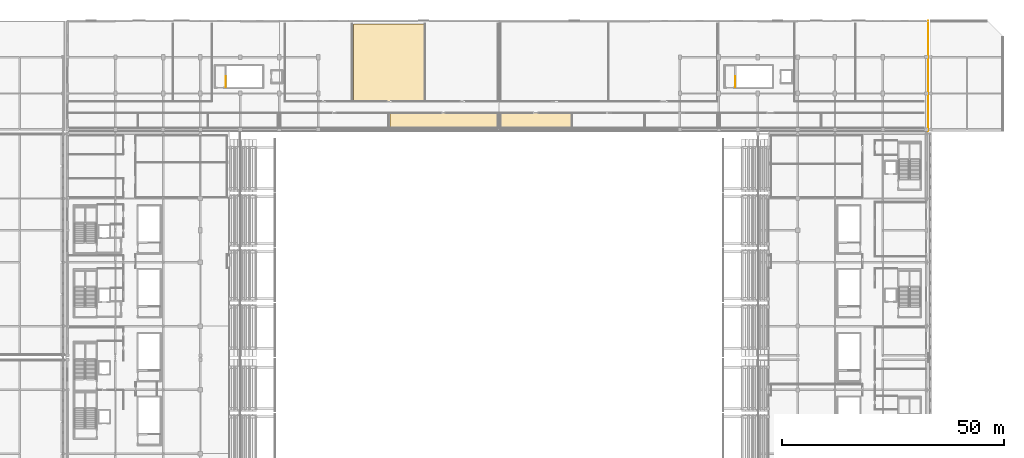
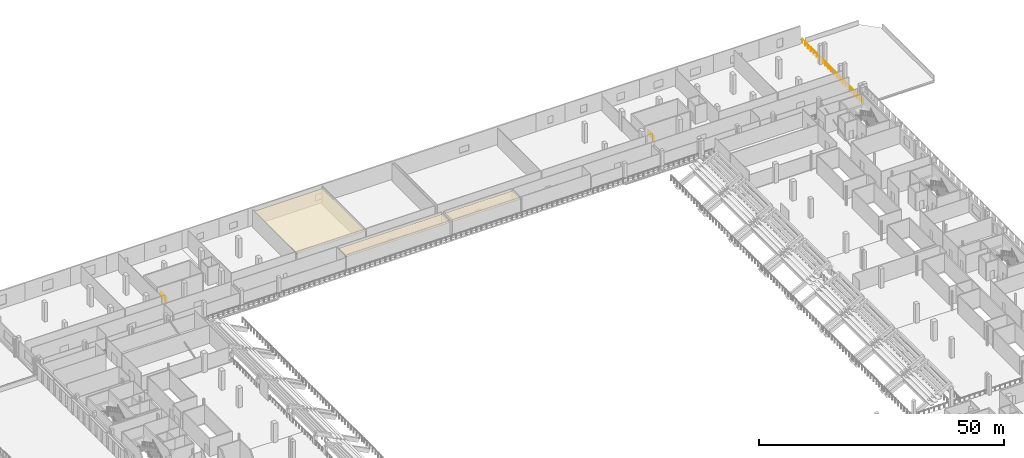
# One storey, part 73 of 74: 3 coverings, 3 railings.
"""IFC4 building model written with IfcOpenShell, lengths in metres."""

from ifc_helpers import new_model, si_unit, direction, frame, origin, origin_2d, place, context, subcontext, project, spatial, polyline, circle, outline, extrude, material, layer, layer_set, type_object, element, save


model = new_model("IFC4")

# Units and contexts
model_context = context("Model", 3, precision=1e-05, world=origin(), true_north=direction((0.0, 1.0)))
body_context = subcontext(model_context, "Body", "Model", "MODEL_VIEW")
ifc_project = project(units=[si_unit("LENGTHUNIT", "METRE"), si_unit("AREAUNIT", "SQUARE_METRE"), si_unit("VOLUMEUNIT", "CUBIC_METRE"), si_unit("PLANEANGLEUNIT", "RADIAN"), si_unit("MASSUNIT", "GRAM", prefix="KILO")], contexts=[model_context])

# Site, building, storey
site_placement = place(None, origin())
site = spatial("IfcSite", under=ifc_project, at=site_placement, CompositionType="ELEMENT")
building_placement = place(site_placement, origin())
building = spatial("IfcBuilding", under=site, at=building_placement, Name="Koshinbarg Plaza Stadium", CompositionType="ELEMENT")
storey_placement = place(building_placement, frame((0.0, 0.0, 15.0)))
storey = spatial("IfcBuildingStorey", under=building, at=storey_placement, Name="L03", CompositionType="ELEMENT", Elevation=15.0)

# Coverings
ifc_material_1 = material(Name="Perforated gypsum acoustic ceiling board")
ifc_layer = layer(ifc_material_1, 0.030029296875)
ifc_layer_set = layer_set([ifc_layer], Name="Perforated gypsum acoustic ceiling board")
covering_type = type_object("IfcCoveringType", Name="COV-CEIL-01", PredefinedType="CEILING", material=ifc_layer_set)
covering_1_placement = place(storey_placement, frame((0.0, 0.0, 3.889892578125)))
element("IfcCovering", 1, at=covering_1_placement, inside=storey, type_object=covering_type, Name="L03 Trophy Exhibition Hall acoustic ceiling 030", PredefinedType="CEILING", context=body_context, shape_type="SweptSolid", body=[
    extrude(outline(polyline([(97.35009765625, 127.7451171875), (121.72998046875, 127.7451171875), (121.72998046875, 131.199951171875), (97.35009765625, 131.199951171875), (97.35009765625, 127.7451171875)])), origin(), (0.0, 0.0, 1.0), 0.030029296875),
])
covering_2_placement = place(storey_placement, frame((0.0, 0.0, 3.889892578125)))
element("IfcCovering", 2, at=covering_2_placement, inside=storey, type_object=covering_type, Name="L03 Olympic Archive Exhibition Room acoustic ceiling 031", PredefinedType="CEILING", context=body_context, shape_type="SweptSolid", body=[
    extrude(outline(polyline([(89.123291015625, 133.800048828125), (105.276611328125, 133.800048828125), (105.276611328125, 151.300048828125), (89.123291015625, 151.300048828125), (89.123291015625, 133.800048828125)])), origin(), (0.0, 0.0, 1.0), 0.030029296875),
])
covering_3_placement = place(storey_placement, frame((0.0, 0.0, 3.889892578125)))
element("IfcCovering", 3, at=covering_3_placement, inside=storey, type_object=covering_type, Name="L03 Trophy Exhibition Hall acoustic ceiling 032", PredefinedType="CEILING", context=body_context, shape_type="SweptSolid", body=[
    extrude(outline(polyline([(122.27001953125, 127.7451171875), (138.42333984375, 127.7451171875), (138.42333984375, 131.199951171875), (122.27001953125, 131.199951171875), (122.27001953125, 127.7451171875)])), origin(), (0.0, 0.0, 1.0), 0.030029296875),
])

# Railings
ifc_material_2 = material(Name="Toughened laminated glass and stainless steel sightline balustrade", Category="steel")
railing_type_1 = type_object("IfcRailingType", Name="RL-BOWL-1100", PredefinedType="BALUSTRADE", material=ifc_material_2)
railing_placement = place(storey_placement, frame((218.875, 152.0, 0.0)))
element("IfcRailing", 4, at=railing_placement, inside=storey, type_object=railing_type_1, Name="L03 deck edge safety balustrade 0259", PredefinedType="BALUSTRADE", context=body_context, shape_type="SweptSolid", body=[
    extrude(circle(Radius=0.02392578125, at=origin_2d()), frame((0.0, 0.0, 1.076171875), z_axis=(0.0, -1.0, 0.0), x_axis=(1.0, 0.0, 0.0)), (0.0, 0.0, 1.0), 24.955078125),
    extrude(circle(Radius=0.02099609375, at=origin_2d()), origin(), (0.0, 0.0, 1.0), 1.052001953125),
    extrude(circle(Radius=0.02099609375, at=origin_2d()), frame((0.0, -1.188232421875, 0.0)), (0.0, 0.0, 1.0), 1.052001953125),
    extrude(circle(Radius=0.02099609375, at=origin_2d()), frame((0.0, -2.376708984375, 0.0)), (0.0, 0.0, 1.0), 1.052001953125),
    extrude(circle(Radius=0.02099609375, at=origin_2d()), frame((0.0, -3.56494140625, 0.0)), (0.0, 0.0, 1.0), 1.052001953125),
    extrude(circle(Radius=0.02099609375, at=origin_2d()), frame((0.0, -4.75341796875, 0.0)), (0.0, 0.0, 1.0), 1.052001953125),
    extrude(circle(Radius=0.02099609375, at=origin_2d()), frame((0.0, -5.941650390625, 0.0)), (0.0, 0.0, 1.0), 1.052001953125),
    extrude(circle(Radius=0.02099609375, at=origin_2d()), frame((0.0, -7.130126953125, 0.0)), (0.0, 0.0, 1.0), 1.052001953125),
    extrude(circle(Radius=0.02099609375, at=origin_2d()), frame((0.0, -8.318359375, 0.0)), (0.0, 0.0, 1.0), 1.052001953125),
    extrude(circle(Radius=0.02099609375, at=origin_2d()), frame((0.0, -9.506591796875, 0.0)), (0.0, 0.0, 1.0), 1.052001953125),
    extrude(circle(Radius=0.02099609375, at=origin_2d()), frame((0.0, -10.695068359375, 0.0)), (0.0, 0.0, 1.0), 1.052001953125),
    extrude(circle(Radius=0.02099609375, at=origin_2d()), frame((0.0, -11.88330078125, 0.0)), (0.0, 0.0, 1.0), 1.052001953125),
    extrude(circle(Radius=0.02099609375, at=origin_2d()), frame((0.0, -13.07177734375, 0.0)), (0.0, 0.0, 1.0), 1.052001953125),
    extrude(circle(Radius=0.02099609375, at=origin_2d()), frame((0.0, -14.260009765625, 0.0)), (0.0, 0.0, 1.0), 1.052001953125),
    extrude(circle(Radius=0.02099609375, at=origin_2d()), frame((0.0, -15.448486328125, 0.0)), (0.0, 0.0, 1.0), 1.052001953125),
    extrude(circle(Radius=0.02099609375, at=origin_2d()), frame((0.0, -16.63671875, 0.0)), (0.0, 0.0, 1.0), 1.052001953125),
    extrude(circle(Radius=0.02099609375, at=origin_2d()), frame((0.0, -17.824951171875, 0.0)), (0.0, 0.0, 1.0), 1.052001953125),
    extrude(circle(Radius=0.02099609375, at=origin_2d()), frame((0.0, -19.013427734375, 0.0)), (0.0, 0.0, 1.0), 1.052001953125),
    extrude(circle(Radius=0.02099609375, at=origin_2d()), frame((0.0, -20.20166015625, 0.0)), (0.0, 0.0, 1.0), 1.052001953125),
    extrude(circle(Radius=0.02099609375, at=origin_2d()), frame((0.0, -21.39013671875, 0.0)), (0.0, 0.0, 1.0), 1.052001953125),
    extrude(circle(Radius=0.02099609375, at=origin_2d()), frame((0.0, -22.578369140625, 0.0)), (0.0, 0.0, 1.0), 1.052001953125),
    extrude(circle(Radius=0.02099609375, at=origin_2d()), frame((0.0, -23.766845703125, 0.0)), (0.0, 0.0, 1.0), 1.052001953125),
    extrude(circle(Radius=0.02099609375, at=origin_2d()), frame((0.0, -24.955078125, 0.0)), (0.0, 0.0, 1.0), 1.052001953125),
])
ifc_material_3 = material(Name="Galvanized painted steel guardrail", Category="steel")
railing_type_2 = type_object("IfcRailingType", Name="RL-GUARD-1100", PredefinedType="GUARDRAIL", material=ifc_material_3)
for number, where, name in (
    (5, (60.31005859375, 137.0, 0.0), "L03 C11 top stairwell guard 1"),
    (6, (175.31005859375, 137.0, 0.0), "L03 C12 top stairwell guard 1"),
):
    element("IfcRailing", number, at=place(storey_placement, frame(where)), inside=storey, type_object=railing_type_2, Name=name, PredefinedType="GUARDRAIL", context=body_context, shape_type="SweptSolid", body=[
        extrude(circle(Radius=0.02392578125, at=origin_2d()), frame((0.0, 0.0, 1.076171875), z_axis=(0.0, 1.0, 0.0), x_axis=(-1.0, 0.0, 0.0)), (0.0, 0.0, 1.0), 2.510009765625),
        extrude(circle(Radius=0.02099609375, at=origin_2d()), origin(), (0.0, 0.0, 1.0), 1.052001953125),
        extrude(circle(Radius=0.02099609375, at=origin_2d()), frame((0.0, 0.836669921875, 0.0)), (0.0, 0.0, 1.0), 1.052001953125),
        extrude(circle(Radius=0.02099609375, at=origin_2d()), frame((0.0, 1.67333984375, 0.0)), (0.0, 0.0, 1.0), 1.052001953125),
        extrude(circle(Radius=0.02099609375, at=origin_2d()), frame((0.0, 2.510009765625, 0.0)), (0.0, 0.0, 1.0), 1.052001953125),
    ])

save(model, "model.ifc")
